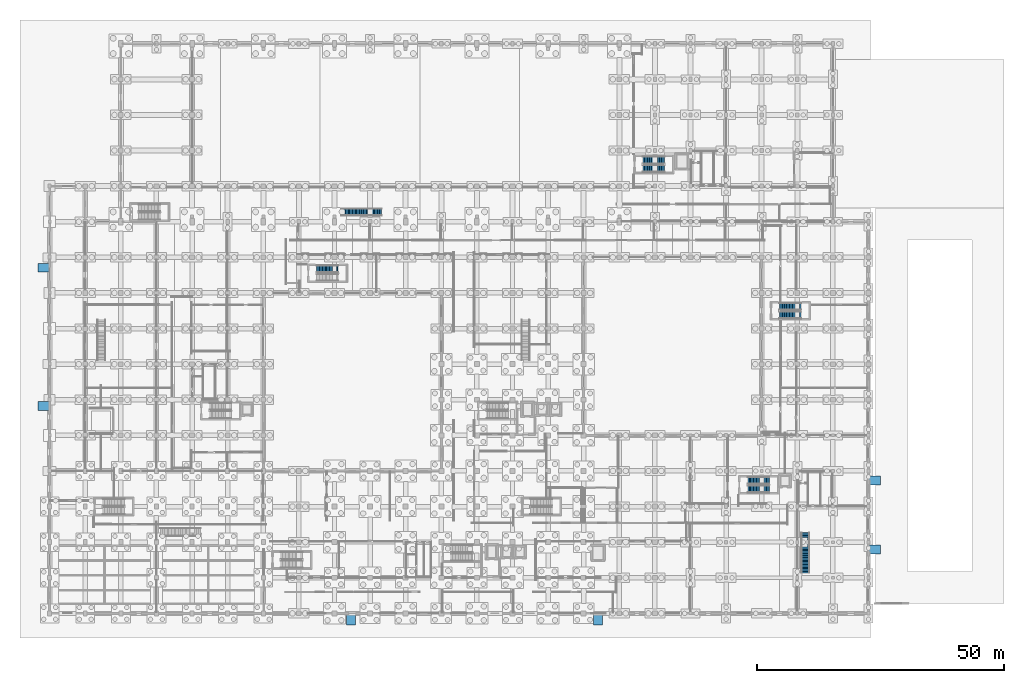
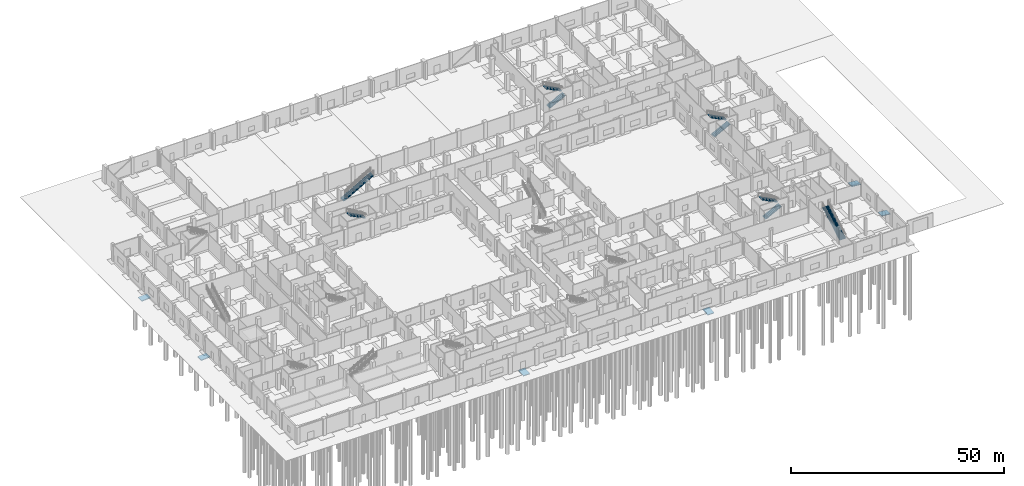
# One storey, part 37 of 48: 9 stair flights, 6 ramp flights, 12 elements without a shape of their own.
"""IFC4 building model written with IfcOpenShell, lengths in metres."""

from ifc_helpers import new_model, si_unit, direction, frame, origin, place, context, subcontext, project, spatial, polyline, outline, extrude, material, layer, layer_set, type_object, element, aggregate, save


model = new_model("IFC4")

# Units and contexts
model_context = context("Model", 3, precision=1e-05, world=origin(), true_north=direction((0.0, 1.0)))
body_context = subcontext(model_context, "Body", "Model", "MODEL_VIEW")
ifc_project = project(units=[si_unit("LENGTHUNIT", "METRE"), si_unit("AREAUNIT", "SQUARE_METRE"), si_unit("VOLUMEUNIT", "CUBIC_METRE"), si_unit("PLANEANGLEUNIT", "RADIAN"), si_unit("MASSUNIT", "GRAM", prefix="KILO")], contexts=[model_context])

# Site, building, storey
site_placement = place(None, origin())
site = spatial("IfcSite", under=ifc_project, at=site_placement, CompositionType="ELEMENT")
building_placement = place(site_placement, origin())
building = spatial("IfcBuilding", under=site, at=building_placement, Name="Seraya Terrace Polytechnic", CompositionType="ELEMENT")
storey_placement = place(building_placement, origin())
storey = spatial("IfcBuildingStorey", under=building, at=storey_placement, Name="L00", CompositionType="ELEMENT", Elevation=0.0)

# Stair, stair flight
ifc_material = material(Name="Concrete C40/50", Category="concrete")
stair_type_1 = type_object("IfcStairType", Name="ST-T1", PredefinedType="HALF_TURN_STAIR", material=ifc_material)
stair_1_placement = place(storey_placement, origin())
stair_1 = element("IfcStair", 1, at=stair_1_placement, inside=storey, type_object=stair_type_1, Name="L00 Protected exit stair ST-06", PredefinedType="HALF_TURN_STAIR")
stair_flight_type_1 = type_object("IfcStairFlightType", Name="SF-01", PredefinedType="STRAIGHT", material=ifc_material)
stair_flight_1_placement = place(storey_placement, frame((58.35009765625, 69.64990234375, 2.39990234375), z_axis=(0.0, 0.0, 1.0), x_axis=(-1.0, 0.0, 0.0)))
stair_flight_1 = element("IfcStairFlight", 2, at=stair_flight_1_placement, type_object=stair_flight_type_1, Name="ST-06 flight 2", NumberOfRisers=16, NumberOfTreads=15, PredefinedType="STRAIGHT", RiserHeight=0.15, TreadLength=0.29, context=body_context, shape_type="SweptSolid", body=[
    extrude(outline(polyline([(0.0, 0.0), (0.0, 0.14990234375), (0.2900390625, 0.14990234375), (0.2900390625, 0.300048828125), (0.580078125, 0.300048828125), (0.580078125, 0.449951171875), (0.8701171875, 0.449951171875), (0.8701171875, 0.60009765625), (1.159912109375, 0.60009765625), (1.159912109375, 0.75), (1.449951171875, 0.75), (1.449951171875, 0.89990234375), (1.739990234375, 0.89990234375), (1.739990234375, 1.050048828125), (2.030029296875, 1.050048828125), (2.030029296875, 1.199951171875), (2.320068359375, 1.199951171875), (2.320068359375, 1.35009765625), (2.610107421875, 1.35009765625), (2.610107421875, 1.5), (2.89990234375, 1.5), (2.89990234375, 1.64990234375), (3.18994140625, 1.64990234375), (3.18994140625, 1.800048828125), (3.47998046875, 1.800048828125), (3.47998046875, 1.949951171875), (3.77001953125, 1.949951171875), (3.77001953125, 2.10009765625), (4.06005859375, 2.10009765625), (4.06005859375, 2.25), (4.35009765625, 2.25), (4.35009765625, 2.39990234375), (4.35009765625, 2.070068359375), (0.34814453125, 0.0), (0.0, 0.0)])), frame((0.0, 0.75, 0.0), z_axis=(0.0, -1.0, 0.0), x_axis=(1.0, 0.0, 0.0)), (0.0, 0.0, 1.0), 1.5),
])
aggregate(stair_1, [stair_flight_1])

# Stair, stair flights
stair_2_placement = place(storey_placement, origin())
stair_2 = element("IfcStair", 3, at=stair_2_placement, inside=storey, type_object=stair_type_1, Name="L00 Protected exit stair ST-08", PredefinedType="HALF_TURN_STAIR")
stair_flight_2_placement = place(storey_placement, frame((120.0, 89.949951171875, 0.0), z_axis=(0.0, 0.0, 1.0), x_axis=(1.0, 0.0, 0.0)))
stair_flight_2 = element("IfcStairFlight", 4, at=stair_flight_2_placement, type_object=stair_flight_type_1, Name="ST-08 flight 1", NumberOfRisers=16, NumberOfTreads=15, PredefinedType="STRAIGHT", RiserHeight=0.15, TreadLength=0.29, context=body_context, shape_type="SweptSolid", body=[
    extrude(outline(polyline([(0.0, 0.0), (0.0, 0.14990234375), (0.2900390625, 0.14990234375), (0.2900390625, 0.300048828125), (0.580078125, 0.300048828125), (0.580078125, 0.449951171875), (0.8701171875, 0.449951171875), (0.8701171875, 0.60009765625), (1.159912109375, 0.60009765625), (1.159912109375, 0.75), (1.449951171875, 0.75), (1.449951171875, 0.89990234375), (1.739990234375, 0.89990234375), (1.739990234375, 1.050048828125), (2.030029296875, 1.050048828125), (2.030029296875, 1.199951171875), (2.320068359375, 1.199951171875), (2.320068359375, 1.35009765625), (2.610107421875, 1.35009765625), (2.610107421875, 1.5), (2.89990234375, 1.5), (2.89990234375, 1.64990234375), (3.18994140625, 1.64990234375), (3.18994140625, 1.800048828125), (3.47998046875, 1.800048828125), (3.47998046875, 1.949951171875), (3.77001953125, 1.949951171875), (3.77001953125, 2.10009765625), (4.06005859375, 2.10009765625), (4.06005859375, 2.25), (4.35009765625, 2.25), (4.35009765625, 2.39990234375), (4.35009765625, 2.070068359375), (0.34814453125, 0.0), (0.0, 0.0)])), frame((0.0, 0.75, 0.0), z_axis=(0.0, -1.0, 0.0), x_axis=(1.0, 0.0, 0.0)), (0.0, 0.0, 1.0), 1.5),
])
stair_flight_3_placement = place(storey_placement, frame((124.35009765625, 91.64990234375, 2.39990234375), z_axis=(0.0, 0.0, 1.0), x_axis=(-1.0, 0.0, 0.0)))
stair_flight_3 = element("IfcStairFlight", 5, at=stair_flight_3_placement, type_object=stair_flight_type_1, Name="ST-08 flight 2", NumberOfRisers=16, NumberOfTreads=15, PredefinedType="STRAIGHT", RiserHeight=0.15, TreadLength=0.29, context=body_context, shape_type="SweptSolid", body=[
    extrude(outline(polyline([(0.0, 0.0), (0.0, 0.14990234375), (0.2900390625, 0.14990234375), (0.2900390625, 0.300048828125), (0.580078125, 0.300048828125), (0.580078125, 0.449951171875), (0.8701171875, 0.449951171875), (0.8701171875, 0.60009765625), (1.159912109375, 0.60009765625), (1.159912109375, 0.75), (1.449951171875, 0.75), (1.449951171875, 0.89990234375), (1.739990234375, 0.89990234375), (1.739990234375, 1.050048828125), (2.030029296875, 1.050048828125), (2.030029296875, 1.199951171875), (2.320068359375, 1.199951171875), (2.320068359375, 1.35009765625), (2.610107421875, 1.35009765625), (2.610107421875, 1.5), (2.89990234375, 1.5), (2.89990234375, 1.64990234375), (3.18994140625, 1.64990234375), (3.18994140625, 1.800048828125), (3.47998046875, 1.800048828125), (3.47998046875, 1.949951171875), (3.77001953125, 1.949951171875), (3.77001953125, 2.10009765625), (4.06005859375, 2.10009765625), (4.06005859375, 2.25), (4.35009765625, 2.25), (4.35009765625, 2.39990234375), (4.35009765625, 2.070068359375), (0.34814453125, 0.0), (0.0, 0.0)])), frame((0.0, 0.75, 0.0), z_axis=(0.0, -1.0, 0.0), x_axis=(1.0, 0.0, 0.0)), (0.0, 0.0, 1.0), 1.5),
])
aggregate(stair_2, [stair_flight_2, stair_flight_3])

stair_3_placement = place(storey_placement, origin())
stair_3 = element("IfcStair", 6, at=stair_3_placement, inside=storey, type_object=stair_type_1, Name="L00 Protected exit stair ST-10", PredefinedType="HALF_TURN_STAIR")
stair_flight_4_placement = place(storey_placement, frame((141.199951171875, 25.14990234375, 0.0), z_axis=(0.0, 0.0, 1.0), x_axis=(1.0, 0.0, 0.0)))
stair_flight_4 = element("IfcStairFlight", 7, at=stair_flight_4_placement, type_object=stair_flight_type_1, Name="ST-10 flight 1", NumberOfRisers=16, NumberOfTreads=15, PredefinedType="STRAIGHT", RiserHeight=0.15, TreadLength=0.29, context=body_context, shape_type="SweptSolid", body=[
    extrude(outline(polyline([(0.0, 0.0), (0.0, 0.14990234375), (0.2900390625, 0.14990234375), (0.2900390625, 0.300048828125), (0.580078125, 0.300048828125), (0.580078125, 0.449951171875), (0.8701171875, 0.449951171875), (0.8701171875, 0.60009765625), (1.159912109375, 0.60009765625), (1.159912109375, 0.75), (1.449951171875, 0.75), (1.449951171875, 0.89990234375), (1.739990234375, 0.89990234375), (1.739990234375, 1.050048828125), (2.030029296875, 1.050048828125), (2.030029296875, 1.199951171875), (2.320068359375, 1.199951171875), (2.320068359375, 1.35009765625), (2.610107421875, 1.35009765625), (2.610107421875, 1.5), (2.89990234375, 1.5), (2.89990234375, 1.64990234375), (3.18994140625, 1.64990234375), (3.18994140625, 1.800048828125), (3.47998046875, 1.800048828125), (3.47998046875, 1.949951171875), (3.77001953125, 1.949951171875), (3.77001953125, 2.10009765625), (4.06005859375, 2.10009765625), (4.06005859375, 2.25), (4.35009765625, 2.25), (4.35009765625, 2.39990234375), (4.35009765625, 2.070068359375), (0.34814453125, 0.0), (0.0, 0.0)])), frame((0.0, 0.75, 0.0), z_axis=(0.0, -1.0, 0.0), x_axis=(1.0, 0.0, 0.0)), (0.0, 0.0, 1.0), 1.5),
])
stair_flight_5_placement = place(storey_placement, frame((145.550048828125, 26.85009765625, 2.39990234375), z_axis=(0.0, 0.0, 1.0), x_axis=(-1.0, 0.0, 0.0)))
stair_flight_5 = element("IfcStairFlight", 8, at=stair_flight_5_placement, type_object=stair_flight_type_1, Name="ST-10 flight 2", NumberOfRisers=16, NumberOfTreads=15, PredefinedType="STRAIGHT", RiserHeight=0.15, TreadLength=0.29, context=body_context, shape_type="SweptSolid", body=[
    extrude(outline(polyline([(0.0, 0.0), (0.0, 0.14990234375), (0.2900390625, 0.14990234375), (0.2900390625, 0.300048828125), (0.580078125, 0.300048828125), (0.580078125, 0.449951171875), (0.8701171875, 0.449951171875), (0.8701171875, 0.60009765625), (1.159912109375, 0.60009765625), (1.159912109375, 0.75), (1.449951171875, 0.75), (1.449951171875, 0.89990234375), (1.739990234375, 0.89990234375), (1.739990234375, 1.050048828125), (2.030029296875, 1.050048828125), (2.030029296875, 1.199951171875), (2.320068359375, 1.199951171875), (2.320068359375, 1.35009765625), (2.610107421875, 1.35009765625), (2.610107421875, 1.5), (2.89990234375, 1.5), (2.89990234375, 1.64990234375), (3.18994140625, 1.64990234375), (3.18994140625, 1.800048828125), (3.47998046875, 1.800048828125), (3.47998046875, 1.949951171875), (3.77001953125, 1.949951171875), (3.77001953125, 2.10009765625), (4.06005859375, 2.10009765625), (4.06005859375, 2.25), (4.35009765625, 2.25), (4.35009765625, 2.39990234375), (4.35009765625, 2.070068359375), (0.34814453125, 0.0), (0.0, 0.0)])), frame((0.0, 0.75, 0.0), z_axis=(0.0, -1.0, 0.0), x_axis=(1.0, 0.0, 0.0)), (0.0, 0.0, 1.0), 1.5),
])
aggregate(stair_3, [stair_flight_4, stair_flight_5])

stair_4_placement = place(storey_placement, origin())
stair_4 = element("IfcStair", 9, at=stair_4_placement, inside=storey, type_object=stair_type_1, Name="L00 Protected exit stair ST-11", PredefinedType="HALF_TURN_STAIR")
stair_flight_6_placement = place(storey_placement, frame((147.60009765625, 60.35009765625, 0.0), z_axis=(0.0, 0.0, 1.0), x_axis=(1.0, 0.0, 0.0)))
stair_flight_6 = element("IfcStairFlight", 10, at=stair_flight_6_placement, type_object=stair_flight_type_1, Name="ST-11 flight 1", NumberOfRisers=16, NumberOfTreads=15, PredefinedType="STRAIGHT", RiserHeight=0.15, TreadLength=0.29, context=body_context, shape_type="SweptSolid", body=[
    extrude(outline(polyline([(0.0, 0.0), (0.0, 0.14990234375), (0.2900390625, 0.14990234375), (0.2900390625, 0.300048828125), (0.580078125, 0.300048828125), (0.580078125, 0.449951171875), (0.8701171875, 0.449951171875), (0.8701171875, 0.60009765625), (1.159912109375, 0.60009765625), (1.159912109375, 0.75), (1.449951171875, 0.75), (1.449951171875, 0.89990234375), (1.739990234375, 0.89990234375), (1.739990234375, 1.050048828125), (2.030029296875, 1.050048828125), (2.030029296875, 1.199951171875), (2.320068359375, 1.199951171875), (2.320068359375, 1.35009765625), (2.610107421875, 1.35009765625), (2.610107421875, 1.5), (2.89990234375, 1.5), (2.89990234375, 1.64990234375), (3.18994140625, 1.64990234375), (3.18994140625, 1.800048828125), (3.47998046875, 1.800048828125), (3.47998046875, 1.949951171875), (3.77001953125, 1.949951171875), (3.77001953125, 2.10009765625), (4.06005859375, 2.10009765625), (4.06005859375, 2.25), (4.35009765625, 2.25), (4.35009765625, 2.39990234375), (4.35009765625, 2.070068359375), (0.34814453125, 0.0), (0.0, 0.0)])), frame((0.0, 0.75, 0.0), z_axis=(0.0, -1.0, 0.0), x_axis=(1.0, 0.0, 0.0)), (0.0, 0.0, 1.0), 1.5),
])
stair_flight_7_placement = place(storey_placement, frame((151.949951171875, 62.050048828125, 2.39990234375), z_axis=(0.0, 0.0, 1.0), x_axis=(-1.0, 0.0, 0.0)))
stair_flight_7 = element("IfcStairFlight", 11, at=stair_flight_7_placement, type_object=stair_flight_type_1, Name="ST-11 flight 2", NumberOfRisers=16, NumberOfTreads=15, PredefinedType="STRAIGHT", RiserHeight=0.15, TreadLength=0.29, context=body_context, shape_type="SweptSolid", body=[
    extrude(outline(polyline([(0.0, 0.0), (0.0, 0.14990234375), (0.2900390625, 0.14990234375), (0.2900390625, 0.300048828125), (0.580078125, 0.300048828125), (0.580078125, 0.449951171875), (0.8701171875, 0.449951171875), (0.8701171875, 0.60009765625), (1.159912109375, 0.60009765625), (1.159912109375, 0.75), (1.449951171875, 0.75), (1.449951171875, 0.89990234375), (1.739990234375, 0.89990234375), (1.739990234375, 1.050048828125), (2.030029296875, 1.050048828125), (2.030029296875, 1.199951171875), (2.320068359375, 1.199951171875), (2.320068359375, 1.35009765625), (2.610107421875, 1.35009765625), (2.610107421875, 1.5), (2.89990234375, 1.5), (2.89990234375, 1.64990234375), (3.18994140625, 1.64990234375), (3.18994140625, 1.800048828125), (3.47998046875, 1.800048828125), (3.47998046875, 1.949951171875), (3.77001953125, 1.949951171875), (3.77001953125, 2.10009765625), (4.06005859375, 2.10009765625), (4.06005859375, 2.25), (4.35009765625, 2.25), (4.35009765625, 2.39990234375), (4.35009765625, 2.070068359375), (0.34814453125, 0.0), (0.0, 0.0)])), frame((0.0, 0.75, 0.0), z_axis=(0.0, -1.0, 0.0), x_axis=(1.0, 0.0, 0.0)), (0.0, 0.0, 1.0), 1.5),
])
aggregate(stair_4, [stair_flight_6, stair_flight_7])

# Stair, stair flight
stair_type_2 = type_object("IfcStairType", Name="ST-T3", PredefinedType="STRAIGHT_RUN_STAIR", material=ifc_material)
stair_5_placement = place(storey_placement, origin())
stair_5 = element("IfcStair", 12, at=stair_5_placement, inside=storey, type_object=stair_type_2, Name="Architectural straight stair ST-13 L00", PredefinedType="STRAIGHT_RUN_STAIR")
stair_flight_type_2 = type_object("IfcStairFlightType", Name="SF-03", PredefinedType="STRAIGHT", material=ifc_material)
stair_flight_8_placement = place(storey_placement, frame((59.0, 81.14990234375, 0.0), z_axis=(0.0, 0.0, 1.0), x_axis=(1.0, 0.0, 0.0)))
stair_flight_8 = element("IfcStairFlight", 13, at=stair_flight_8_placement, type_object=stair_flight_type_2, Name="ST-13 flight 1", NumberOfRisers=30, NumberOfTreads=29, PredefinedType="STRAIGHT", RiserHeight=0.16, TreadLength=0.28, context=body_context, shape_type="SweptSolid", body=[
    extrude(outline(polyline([(0.0, 0.0), (0.0, 0.159912109375), (0.280029296875, 0.159912109375), (0.280029296875, 0.320068359375), (0.56005859375, 0.320068359375), (0.56005859375, 0.47998046875), (0.840087890625, 0.47998046875), (0.840087890625, 0.639892578125), (1.1201171875, 0.639892578125), (1.1201171875, 0.800048828125), (1.39990234375, 0.800048828125), (1.39990234375, 0.9599609375), (1.679931640625, 0.9599609375), (1.679931640625, 1.1201171875), (1.9599609375, 1.1201171875), (1.9599609375, 1.280029296875), (2.239990234375, 1.280029296875), (2.239990234375, 1.43994140625), (2.52001953125, 1.43994140625), (2.52001953125, 1.60009765625), (2.800048828125, 1.60009765625), (2.800048828125, 1.760009765625), (3.080078125, 1.760009765625), (3.080078125, 1.919921875), (3.360107421875, 1.919921875), (3.360107421875, 2.080078125), (3.639892578125, 2.080078125), (3.639892578125, 2.239990234375), (3.919921875, 2.239990234375), (3.919921875, 2.39990234375), (4.199951171875, 2.39990234375), (4.199951171875, 2.56005859375), (4.47998046875, 2.56005859375), (4.47998046875, 2.719970703125), (4.760009765625, 2.719970703125), (4.760009765625, 2.8798828125), (5.0400390625, 2.8798828125), (5.0400390625, 3.0400390625), (5.320068359375, 3.0400390625), (5.320068359375, 3.199951171875), (5.60009765625, 3.199951171875), (5.60009765625, 3.360107421875), (5.8798828125, 3.360107421875), (5.8798828125, 3.52001953125), (6.159912109375, 3.52001953125), (6.159912109375, 3.679931640625), (6.43994140625, 3.679931640625), (6.43994140625, 3.840087890625), (6.719970703125, 3.840087890625), (6.719970703125, 4.0), (7.0, 4.0), (7.0, 4.159912109375), (7.280029296875, 4.159912109375), (7.280029296875, 4.320068359375), (7.56005859375, 4.320068359375), (7.56005859375, 4.47998046875), (7.840087890625, 4.47998046875), (7.840087890625, 4.639892578125), (8.1201171875, 4.639892578125), (8.1201171875, 4.800048828125), (8.1201171875, 4.432861328125), (0.362548828125, 0.0), (0.0, 0.0)])), frame((0.0, 0.75, 0.0), z_axis=(0.0, -1.0, 0.0), x_axis=(1.0, 0.0, 0.0)), (0.0, 0.0, 1.0), 1.5),
])
aggregate(stair_5, [stair_flight_8])

stair_type_3 = type_object("IfcStairType", Name="ST-T4", PredefinedType="STRAIGHT_RUN_STAIR", material=ifc_material)
stair_6_placement = place(storey_placement, origin())
stair_6 = element("IfcStair", 14, at=stair_6_placement, inside=storey, type_object=stair_type_3, Name="Architectural straight stair ST-14 L00", PredefinedType="STRAIGHT_RUN_STAIR")
stair_flight_type_3 = type_object("IfcStairFlightType", Name="SF-04", PredefinedType="STRAIGHT", material=ifc_material)
stair_flight_9_placement = place(storey_placement, frame((152.840087890625, 8.199951171875, 0.0), z_axis=(0.0, 0.0, 1.0), x_axis=(0.0, 1.0, 0.0)))
stair_flight_9 = element("IfcStairFlight", 15, at=stair_flight_9_placement, type_object=stair_flight_type_3, Name="ST-14 flight 1", NumberOfRisers=30, NumberOfTreads=29, PredefinedType="STRAIGHT", RiserHeight=0.16, TreadLength=0.28, context=body_context, shape_type="SweptSolid", body=[
    extrude(outline(polyline([(0.0, 0.0), (0.0, 0.159912109375), (0.280029296875, 0.159912109375), (0.280029296875, 0.320068359375), (0.56005859375, 0.320068359375), (0.56005859375, 0.47998046875), (0.840087890625, 0.47998046875), (0.840087890625, 0.639892578125), (1.1201171875, 0.639892578125), (1.1201171875, 0.800048828125), (1.39990234375, 0.800048828125), (1.39990234375, 0.9599609375), (1.679931640625, 0.9599609375), (1.679931640625, 1.1201171875), (1.9599609375, 1.1201171875), (1.9599609375, 1.280029296875), (2.239990234375, 1.280029296875), (2.239990234375, 1.43994140625), (2.52001953125, 1.43994140625), (2.52001953125, 1.60009765625), (2.800048828125, 1.60009765625), (2.800048828125, 1.760009765625), (3.080078125, 1.760009765625), (3.080078125, 1.919921875), (3.360107421875, 1.919921875), (3.360107421875, 2.080078125), (3.639892578125, 2.080078125), (3.639892578125, 2.239990234375), (3.919921875, 2.239990234375), (3.919921875, 2.39990234375), (4.199951171875, 2.39990234375), (4.199951171875, 2.56005859375), (4.47998046875, 2.56005859375), (4.47998046875, 2.719970703125), (4.760009765625, 2.719970703125), (4.760009765625, 2.8798828125), (5.0400390625, 2.8798828125), (5.0400390625, 3.0400390625), (5.320068359375, 3.0400390625), (5.320068359375, 3.199951171875), (5.60009765625, 3.199951171875), (5.60009765625, 3.360107421875), (5.8798828125, 3.360107421875), (5.8798828125, 3.52001953125), (6.159912109375, 3.52001953125), (6.159912109375, 3.679931640625), (6.43994140625, 3.679931640625), (6.43994140625, 3.840087890625), (6.719970703125, 3.840087890625), (6.719970703125, 4.0), (7.0, 4.0), (7.0, 4.159912109375), (7.280029296875, 4.159912109375), (7.280029296875, 4.320068359375), (7.56005859375, 4.320068359375), (7.56005859375, 4.47998046875), (7.840087890625, 4.47998046875), (7.840087890625, 4.639892578125), (8.1201171875, 4.639892578125), (8.1201171875, 4.800048828125), (8.1201171875, 4.432861328125), (0.362548828125, 0.0), (0.0, 0.0)])), frame((0.0, 0.83984375, 0.0), z_axis=(0.0, -1.0, 0.0), x_axis=(1.0, 0.0, 0.0)), (0.0, 0.0, 1.0), 1.679931640625),
])
aggregate(stair_6, [stair_flight_9])

# Ramp, ramp flight
ramp_type = type_object("IfcRampType", Name="RMP-01", PredefinedType="STRAIGHT_RUN_RAMP", material=ifc_material)
ramp_1_placement = place(storey_placement, origin())
ramp_1 = element("IfcRamp", 16, at=ramp_1_placement, inside=storey, type_object=ramp_type, Name="Step-free 1:12 pedestrian entrance ramp RMP-W1", PredefinedType="STRAIGHT_RUN_RAMP")
ifc_layer = layer(ifc_material, 0.199951171875, Name="RMF-01")
ifc_layer_set = layer_set([ifc_layer], Name="Concrete C40/50")
ramp_flight_type = type_object("IfcRampFlightType", Name="RMF-01", PredefinedType="STRAIGHT", material=ifc_layer_set)
ramp_flight_1_placement = place(storey_placement, frame((-2.39990234375, 41.0, -0.199951171875), z_axis=(-0.083028700011, 0.0, 0.996547156423), x_axis=(0.996547156423, 0.0, 0.083028700011)))
ramp_flight_1 = element("IfcRampFlight", 17, at=ramp_flight_1_placement, type_object=ramp_flight_type, Name="Pedestrian entrance ramp flight RMP-W1", PredefinedType="STRAIGHT", context=body_context, shape_type="SweptSolid", body=[
    extrude(outline(polyline([(0.0, 0.0), (2.408217542223071, 0.0), (2.408217542223071, 1.800048828125), (0.0, 1.800048828125), (0.0, 0.0)])), origin(), (0.0, 0.0, -1.0), 0.199951171875),
])
aggregate(ramp_1, [ramp_flight_1])

ramp_2_placement = place(storey_placement, origin())
ramp_2 = element("IfcRamp", 18, at=ramp_2_placement, inside=storey, type_object=ramp_type, Name="Step-free 1:12 pedestrian entrance ramp RMP-W2", PredefinedType="STRAIGHT_RUN_RAMP")
ramp_flight_2_placement = place(storey_placement, frame((-2.39990234375, 69.0, -0.199951171875), z_axis=(-0.083028700011, 0.0, 0.996547156423), x_axis=(0.996547156423, 0.0, 0.083028700011)))
ramp_flight_2 = element("IfcRampFlight", 19, at=ramp_flight_2_placement, type_object=ramp_flight_type, Name="Pedestrian entrance ramp flight RMP-W2", PredefinedType="STRAIGHT", context=body_context, shape_type="SweptSolid", body=[
    extrude(outline(polyline([(0.0, 0.0), (2.408217542223071, 0.0), (2.408217542223071, 1.800048828125), (0.0, 1.800048828125), (0.0, 0.0)])), origin(), (0.0, 0.0, -1.0), 0.199951171875),
])
aggregate(ramp_2, [ramp_flight_2])

ramp_3_placement = place(storey_placement, origin())
ramp_3 = element("IfcRamp", 20, at=ramp_3_placement, inside=storey, type_object=ramp_type, Name="Step-free 1:12 pedestrian entrance ramp RMP-S1", PredefinedType="STRAIGHT_RUN_RAMP")
ramp_flight_3_placement = place(storey_placement, frame((60.0, -2.39990234375, -0.199951171875), z_axis=(0.0, -0.083028700011, 0.996547156423), x_axis=(1.0, 0.0, 0.0)))
ramp_flight_3 = element("IfcRampFlight", 21, at=ramp_flight_3_placement, type_object=ramp_flight_type, Name="Pedestrian entrance ramp flight RMP-S1", PredefinedType="STRAIGHT", context=body_context, shape_type="SweptSolid", body=[
    extrude(outline(polyline([(0.0, 0.0), (1.800048828125, 0.0), (1.800048828125, 2.408217542223071), (0.0, 2.408217542223071), (0.0, 0.0)])), origin(), (0.0, 0.0, -1.0), 0.199951171875),
])
aggregate(ramp_3, [ramp_flight_3])

ramp_4_placement = place(storey_placement, origin())
ramp_4 = element("IfcRamp", 22, at=ramp_4_placement, inside=storey, type_object=ramp_type, Name="Step-free 1:12 pedestrian entrance ramp RMP-S2", PredefinedType="STRAIGHT_RUN_RAMP")
ramp_flight_4_placement = place(storey_placement, frame((110.0, -2.39990234375, -0.199951171875), z_axis=(0.0, -0.083028700011, 0.996547156423), x_axis=(1.0, 0.0, 0.0)))
ramp_flight_4 = element("IfcRampFlight", 23, at=ramp_flight_4_placement, type_object=ramp_flight_type, Name="Pedestrian entrance ramp flight RMP-S2", PredefinedType="STRAIGHT", context=body_context, shape_type="SweptSolid", body=[
    extrude(outline(polyline([(0.0, 0.0), (1.800048828125, 0.0), (1.800048828125, 2.408217542223071), (0.0, 2.408217542223071), (0.0, 0.0)])), origin(), (0.0, 0.0, -1.0), 0.199951171875),
])
aggregate(ramp_4, [ramp_flight_4])

ramp_5_placement = place(storey_placement, origin())
ramp_5 = element("IfcRamp", 24, at=ramp_5_placement, inside=storey, type_object=ramp_type, Name="Step-free 1:12 pedestrian entrance ramp RMP-E1", PredefinedType="STRAIGHT_RUN_RAMP")
ramp_flight_5_placement = place(storey_placement, frame((165.60009765625, 12.0, 0.0), z_axis=(0.083028700011, 0.0, 0.996547156423), x_axis=(0.996547156423, 0.0, -0.083028700011)))
ramp_flight_5 = element("IfcRampFlight", 25, at=ramp_flight_5_placement, type_object=ramp_flight_type, Name="Pedestrian entrance ramp flight RMP-E1", PredefinedType="STRAIGHT", context=body_context, shape_type="SweptSolid", body=[
    extrude(outline(polyline([(0.0, 0.0), (2.408217542223071, 0.0), (2.408217542223071, 1.800048828125), (0.0, 1.800048828125), (0.0, 0.0)])), origin(), (0.0, 0.0, -1.0), 0.199951171875),
])
aggregate(ramp_5, [ramp_flight_5])

ramp_6_placement = place(storey_placement, origin())
ramp_6 = element("IfcRamp", 26, at=ramp_6_placement, inside=storey, type_object=ramp_type, Name="Step-free 1:12 pedestrian entrance ramp RMP-E2", PredefinedType="STRAIGHT_RUN_RAMP")
ramp_flight_6_placement = place(storey_placement, frame((165.60009765625, 26.0, 0.0), z_axis=(0.083028700011, 0.0, 0.996547156423), x_axis=(0.996547156423, 0.0, -0.083028700011)))
ramp_flight_6 = element("IfcRampFlight", 27, at=ramp_flight_6_placement, type_object=ramp_flight_type, Name="Pedestrian entrance ramp flight RMP-E2", PredefinedType="STRAIGHT", context=body_context, shape_type="SweptSolid", body=[
    extrude(outline(polyline([(0.0, 0.0), (2.408217542223071, 0.0), (2.408217542223071, 1.800048828125), (0.0, 1.800048828125), (0.0, 0.0)])), origin(), (0.0, 0.0, -1.0), 0.199951171875),
])
aggregate(ramp_6, [ramp_flight_6])

save(model, "model.ifc")
